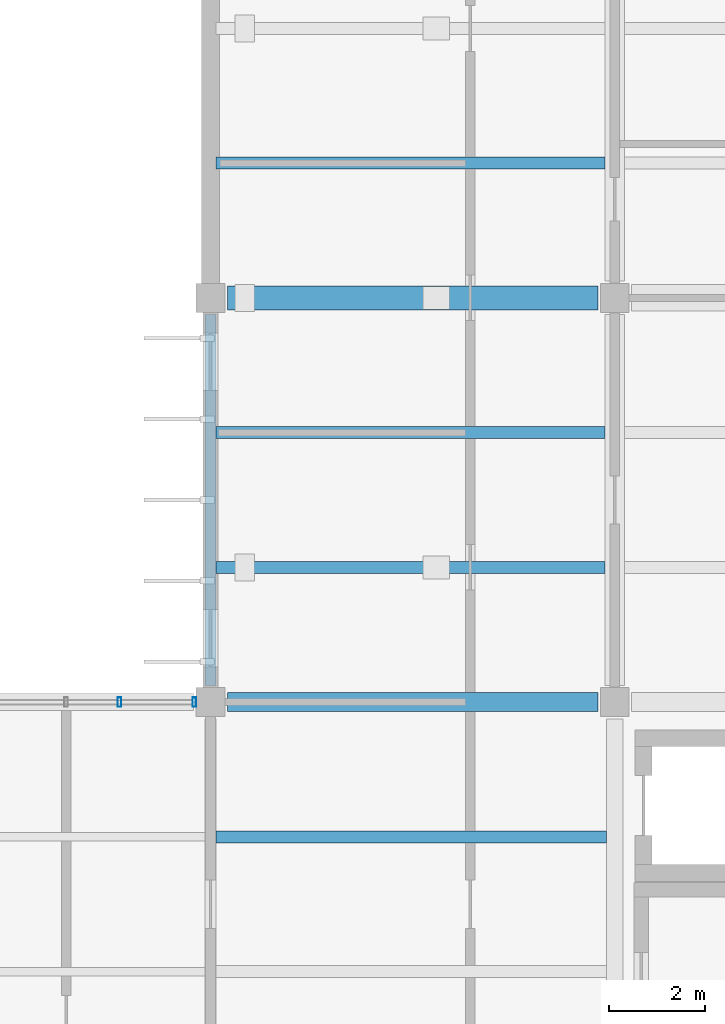
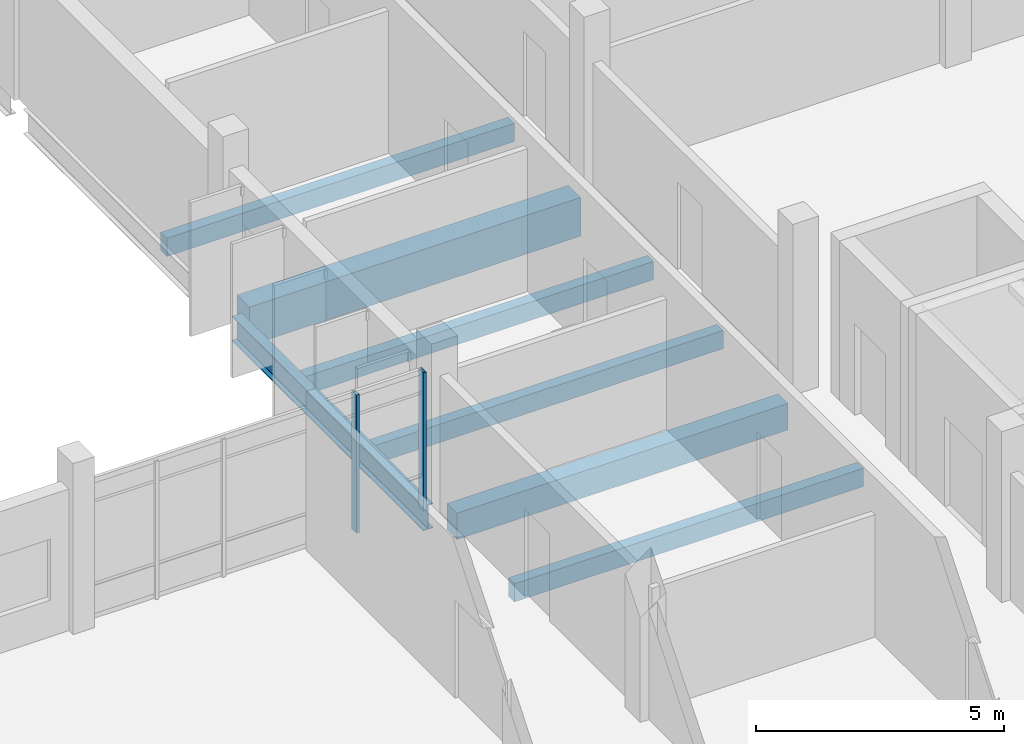
# One storey, part 13 of 101: 7 beams, 2 members, 1 element without a shape of its own.
"""IFC4 building model written with IfcOpenShell, lengths in metres."""

from ifc_helpers import new_model, si_unit, direction, frame, origin, origin_2d, place, context, subcontext, project, spatial, rectangle, hollow_rectangle, i_section, extrude, material, layer, layer_set, material_profile, profile_set, type_object, element, aggregate, save


model = new_model("IFC4")

# Units and contexts
model_context = context("Model", 3, precision=1e-05, world=origin(), true_north=direction((0.0, 1.0)))
body_context = subcontext(model_context, "Body", "Model", "MODEL_VIEW")
ifc_project = project(units=[si_unit("LENGTHUNIT", "METRE"), si_unit("AREAUNIT", "SQUARE_METRE"), si_unit("VOLUMEUNIT", "CUBIC_METRE"), si_unit("PLANEANGLEUNIT", "RADIAN"), si_unit("MASSUNIT", "GRAM", prefix="KILO")], contexts=[model_context])

# Site, building, storey
site_placement = place(None, origin())
site = spatial("IfcSite", under=ifc_project, at=site_placement, CompositionType="ELEMENT")
building_placement = place(site_placement, origin())
building = spatial("IfcBuilding", under=site, at=building_placement, Name="Vireocrest Preparatory School", CompositionType="ELEMENT")
storey_placement = place(building_placement, frame((0.0, 0.0, 4.800048828125)))
storey = spatial("IfcBuildingStorey", under=building, at=storey_placement, Name="L01", CompositionType="ELEMENT", Elevation=4.800048828125)

# Curtain wall, members
ifc_material_1 = material(Name="Thermally broken aluminium EN AW-6063-T6", Category="aluminium")
ifc_layer = layer(ifc_material_1, 0.179931640625)
ifc_layer_set = layer_set([ifc_layer], Name="Thermally broken aluminium EN AW-6063-T6")
curtain_wall_type = type_object("IfcCurtainWallType", Name="Library Reading Bay Glazing 7600x4200", PredefinedType="USERDEFINED", material=ifc_layer_set)
curtain_wall_placement = place(storey_placement, origin())
curtain_wall = element("IfcCurtainWall", 1, at=curtain_wall_placement, inside=storey, type_object=curtain_wall_type, Name="Curtain Wall CW16 CW_L01_CW16_0338_0522_048", ObjectType="CURTAIN WALL", PredefinedType="USERDEFINED")
ifc_material_profile_1 = material_profile(ifc_material_1, hollow_rectangle(XDim=0.074951171875, YDim=0.199951171875, WallThickness=0.0048828125, at=origin_2d()), Name="ALU 75x200x5")
ifc_profile_set_1 = profile_set([ifc_material_profile_1], Name="Thermally broken aluminium EN AW-6063-T6")
member_type = type_object("IfcMemberType", Name="CW Mullion 75x200x5", PredefinedType="MULLION", material=ifc_profile_set_1)
member_1_placement = place(storey_placement, frame((40.10888671875, 52.199951171875, 0.0), z_axis=(0.0, 0.0, 1.0), x_axis=(1.0, 0.0, 0.0)))
member_1 = element("IfcMember", 2, at=member_1_placement, type_object=member_type, Name="CW Mullion ML3 CW_L01_CW16_0338_0522_048-5", PredefinedType="MULLION", context=body_context, shape_type="SweptSolid", body=[
    extrude(hollow_rectangle(XDim=0.074951171875, YDim=0.199951171875, WallThickness=0.0048828125, at=origin_2d()), origin(), (0.0, 0.0, 1.0), 3.39501953125),
])
member_2_placement = place(storey_placement, frame((41.6650390625, 52.199951171875, 0.0), z_axis=(0.0, 0.0, 1.0), x_axis=(1.0, 0.0, 0.0)))
member_2 = element("IfcMember", 3, at=member_2_placement, type_object=member_type, Name="CW Mullion ML3 CW_L01_CW16_0338_0522_048-6", PredefinedType="MULLION", context=body_context, shape_type="SweptSolid", body=[
    extrude(hollow_rectangle(XDim=0.074951171875, YDim=0.199951171875, WallThickness=0.0048828125, at=origin_2d()), origin(), (0.0, 0.0, 1.0), 3.39501953125),
])
aggregate(curtain_wall, [member_1, member_2])

# Beams
ifc_material_2 = material(Name="Structural steel ASTM A992 Grade 50", Category="steel")
ifc_material_profile_2 = material_profile(ifc_material_2, i_section(OverallWidth=0.22802734375, OverallDepth=0.60791015625, WebThickness=0.01123046875, FlangeThickness=0.017333984375, FilletRadius=0.01611328125, at=origin_2d()), Name="W24X76")
ifc_profile_set_2 = profile_set([ifc_material_profile_2], Name="Structural steel ASTM A992 Grade 50")
beam_type_1 = type_object("IfcBeamType", Name="Gallery Steel Girder W24X76", PredefinedType="BEAM", material=ifc_profile_set_2)
beam_1_placement = place(storey_placement, frame((42.0, 52.550048828125, -0.5439453125), z_axis=(0.0, 1.0, 0.0), x_axis=(-1.0, 0.0, 0.0)))
element("IfcBeam", 4, at=beam_1_placement, inside=storey, type_object=beam_type_1, Name="Primary Girder SB3 L01-0383", PredefinedType="BEAM", context=body_context, shape_type="SweptSolid", body=[
    extrude(i_section(OverallWidth=0.22802734375, OverallDepth=0.60791015625, WebThickness=0.01123046875, FlangeThickness=0.017333984375, FilletRadius=0.01611328125, at=origin_2d()), origin(), (0.0, 0.0, 1.0), 7.699951171875),
])
ifc_material_3 = material(Name="Concrete 40 MPa", Category="concrete")
ifc_material_profile_3 = material_profile(ifc_material_3, rectangle(XDim=0.5, YDim=0.949951171875, at=origin_2d()), Name="RC 500x950")
ifc_profile_set_3 = profile_set([ifc_material_profile_3], Name="Concrete 40 MPa")
beam_type_2 = type_object("IfcBeamType", Name="RC Basement Ceiling Girder 500x950", PredefinedType="BEAM", material=ifc_profile_set_3)
beam_2_placement = place(storey_placement, frame((42.35009765625, 60.60009765625, -0.715087890625), z_axis=(1.0, 0.0, 0.0), x_axis=(0.0, 1.0, 0.0)))
element("IfcBeam", 5, at=beam_2_placement, inside=storey, type_object=beam_type_2, Name="Primary Girder B16 L01-0320", PredefinedType="BEAM", context=body_context, shape_type="SweptSolid", body=[
    extrude(rectangle(XDim=0.5, YDim=0.949951171875, at=origin_2d()), origin(), (0.0, 0.0, 1.0), 7.699951171875),
])
ifc_material_profile_4 = material_profile(ifc_material_3, rectangle(XDim=0.39990234375, YDim=0.64990234375, at=origin_2d()), Name="RC 400x650")
ifc_profile_set_4 = profile_set([ifc_material_profile_4], Name="Concrete 40 MPa")
beam_type_3 = type_object("IfcBeamType", Name="RC Laboratory Girder 400x650", PredefinedType="BEAM", material=ifc_profile_set_4)
beam_3_placement = place(storey_placement, frame((42.35009765625, 52.199951171875, -0.56494140625), z_axis=(1.0, 0.0, 0.0), x_axis=(0.0, 1.0, 0.0)))
element("IfcBeam", 6, at=beam_3_placement, inside=storey, type_object=beam_type_3, Name="Primary Girder B07 L01-0311", PredefinedType="BEAM", context=body_context, shape_type="SweptSolid", body=[
    extrude(rectangle(XDim=0.39990234375, YDim=0.64990234375, at=origin_2d()), origin(), (0.0, 0.0, 1.0), 7.699951171875),
])
ifc_material_profile_5 = material_profile(ifc_material_3, rectangle(XDim=0.25, YDim=0.449951171875, at=origin_2d()), Name="RC 250x450")
ifc_profile_set_5 = profile_set([ifc_material_profile_5], Name="Concrete 40 MPa")
beam_type_4 = type_object("IfcBeamType", Name="RC Secondary Floor Joist 250x450", PredefinedType="JOIST", material=ifc_profile_set_5)
beam_4_placement = place(storey_placement, frame((42.114013671875, 49.39990234375, -0.465087890625), z_axis=(1.0, 0.0, 0.0), x_axis=(0.0, 1.0, 0.0)))
element("IfcBeam", 7, at=beam_4_placement, inside=storey, type_object=beam_type_4, Name="Secondary Joist J01 L01-0513", PredefinedType="JOIST", context=body_context, shape_type="SweptSolid", body=[
    extrude(rectangle(XDim=0.25, YDim=0.449951171875, at=origin_2d()), origin(), (0.0, 0.0, 1.0), 8.111083984375),
])
for number, where, z_axis, x_axis, name in (
    (8, (42.114013671875, 55.0, -0.465087890625), (1.0, 0.0, 0.0), (0.0, 1.0, 0.0), "Secondary Joist J01 L01-0514"),
    (9, (42.114013671875, 57.800048828125, -0.465087890625), (1.0, 0.0, 0.0), (0.0, 1.0, 0.0), "Secondary Joist J01 L01-0515"),
    (10, (42.114013671875, 63.39990234375, -0.465087890625), (1.0, 0.0, 0.0), (0.0, 1.0, 0.0), "Secondary Joist J01 L01-0516"),
):
    element("IfcBeam", number, at=place(storey_placement, frame(where, z_axis=z_axis, x_axis=x_axis)), inside=storey, type_object=beam_type_4, Name=name, PredefinedType="JOIST", context=body_context, shape_type="SweptSolid", body=[
        extrude(rectangle(XDim=0.25, YDim=0.449951171875, at=origin_2d()), origin(), (0.0, 0.0, 1.0), 8.0859375),
    ])

save(model, "model.ifc")
